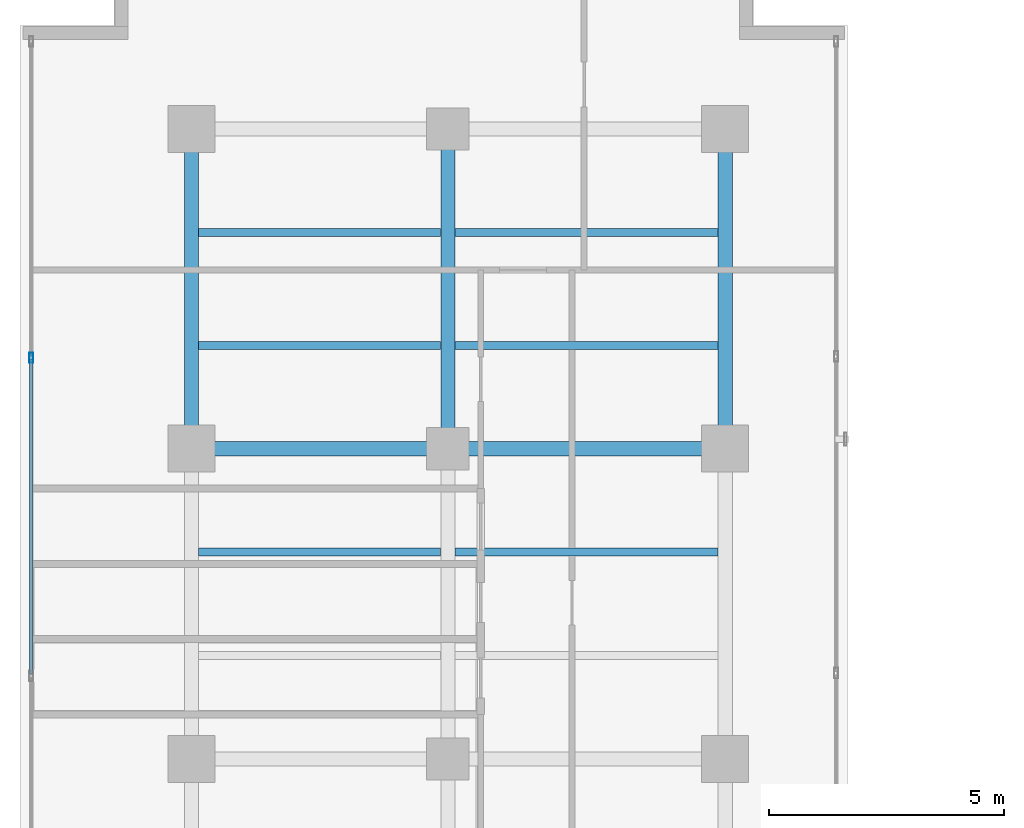
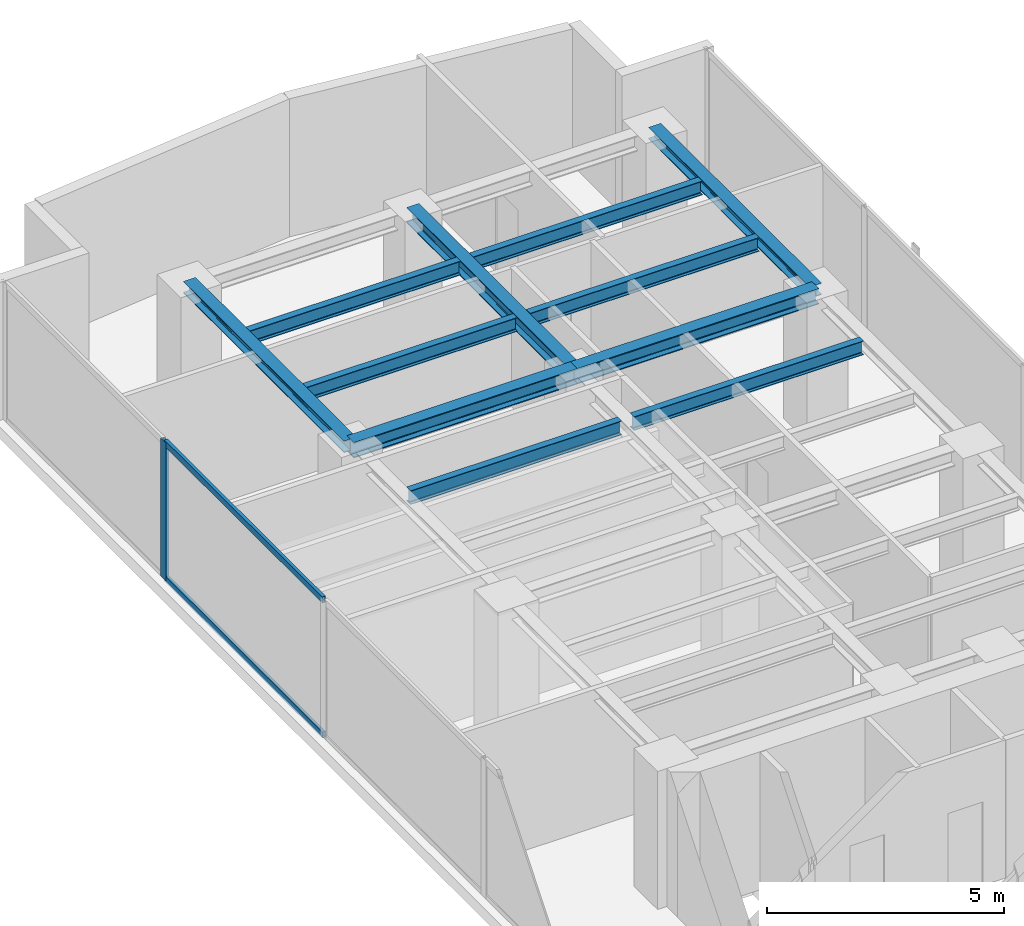
# One storey, part 13 of 25: 11 beams, 3 members, 1 element without a shape of its own.
"""IFC4 building model written with IfcOpenShell, lengths in metres."""

from ifc_helpers import new_model, si_unit, direction, frame, origin, origin_with_axes, origin_2d, place, context, subcontext, project, spatial, hollow_rectangle, i_section, extrude, source, transform, mapped, material, layer, layer_set, material_profile, profile_set, type_object, element, aggregate, save


model = new_model("IFC4")

# Units and contexts
model_context = context("Model", 3, precision=1e-05, world=origin(), true_north=direction((0.0, 1.0)))
body_context = subcontext(model_context, "Body", "Model", "MODEL_VIEW")
ifc_project = project(units=[si_unit("LENGTHUNIT", "METRE"), si_unit("AREAUNIT", "SQUARE_METRE"), si_unit("VOLUMEUNIT", "CUBIC_METRE"), si_unit("PLANEANGLEUNIT", "RADIAN"), si_unit("MASSUNIT", "GRAM", prefix="KILO")], contexts=[model_context])

# Site, building, storey
site_placement = place(None, origin())
site = spatial("IfcSite", under=ifc_project, at=site_placement, CompositionType="ELEMENT")
building_placement = place(site_placement, origin())
building = spatial("IfcBuilding", under=site, at=building_placement, Name="Kolvaren Waterfront Exchange", CompositionType="ELEMENT")
storey_placement = place(building_placement, frame((0.0, 0.0, 223.5)))
storey = spatial("IfcBuildingStorey", under=building, at=storey_placement, Name="L57", CompositionType="ELEMENT", Elevation=223.5)

# Beams
ifc_material_1 = material(Name="Steel S355", Category="steel")
ifc_material_profile_1 = material_profile(ifc_material_1, i_section(OverallWidth=0.300048828125, OverallDepth=0.300048828125, WebThickness=0.010986328125, FlangeThickness=0.01904296875, FilletRadius=0.027099609375, at=origin_2d()), Name="HEB300")
ifc_profile_set_1 = profile_set([ifc_material_profile_1], Name="Steel S355")
beam_type_1 = type_object("IfcBeamType", Name="STR-BM-HEB300", PredefinedType="SPANDREL", material=ifc_profile_set_1)
for number, where, z_axis, x_axis, name in (
    (1, (7.449951171875, 37.800048828125, 3.409912109375), (0.0, 1.0, 0.0), (-1.0, 0.0, 0.0), "L57 north-arm edge beam 3"),
    (2, (18.800048828125, 37.800048828125, 3.409912109375), (0.0, 1.0, 0.0), (-1.0, 0.0, 0.0), "L57 north-arm edge beam 3"),
):
    element("IfcBeam", number, at=place(storey_placement, frame(where, z_axis=z_axis, x_axis=x_axis)), inside=storey, type_object=beam_type_1, Name=name, PredefinedType="SPANDREL", context=body_context, shape_type="SweptSolid", body=[
        extrude(i_section(OverallWidth=0.300048828125, OverallDepth=0.300048828125, WebThickness=0.010986328125, FlangeThickness=0.01904296875, FilletRadius=0.027099609375, at=origin_2d()), origin(), (0.0, 0.0, 1.0), 6.800048828125),
    ])
ifc_material_profile_2 = material_profile(ifc_material_1, i_section(OverallWidth=0.300048828125, OverallDepth=0.39990234375, WebThickness=0.013427734375, FlangeThickness=0.02392578125, FilletRadius=0.027099609375, at=origin_2d()), Name="HEB400")
ifc_profile_set_2 = profile_set([ifc_material_profile_2], Name="Steel S355")
beam_type_2 = type_object("IfcBeamType", Name="STR-BM-HEB400", PredefinedType="BEAM", material=ifc_profile_set_2)
beam_1_placement = place(storey_placement, frame((7.449951171875, 37.800048828125, 3.360107421875), z_axis=(1.0, 0.0, 0.0), x_axis=(0.0, 1.0, 0.0)))
element("IfcBeam", 3, at=beam_1_placement, inside=storey, type_object=beam_type_2, Name="L57 north-arm girder 3A", PredefinedType="BEAM", context=body_context, shape_type="SweptSolid", body=[
    extrude(i_section(OverallWidth=0.300048828125, OverallDepth=0.39990234375, WebThickness=0.013427734375, FlangeThickness=0.02392578125, FilletRadius=0.027099609375, at=origin_2d()), origin(), (0.0, 0.0, 1.0), 5.449951171875),
])
beam_2_placement = place(storey_placement, frame((12.89990234375, 37.800048828125, 3.360107421875), z_axis=(1.0, 0.0, 0.0), x_axis=(0.0, 1.0, 0.0)))
element("IfcBeam", 4, at=beam_2_placement, inside=storey, type_object=beam_type_2, Name="L57 north-arm girder 3B", PredefinedType="BEAM", context=body_context, shape_type="SweptSolid", body=[
    extrude(i_section(OverallWidth=0.300048828125, OverallDepth=0.39990234375, WebThickness=0.013427734375, FlangeThickness=0.02392578125, FilletRadius=0.027099609375, at=origin_2d()), origin(), (0.0, 0.0, 1.0), 5.900146484375),
])
beam_3_placement = place(storey_placement, frame((12.89990234375, 37.800048828125, 3.360107421875), z_axis=(0.0, 1.0, 0.0), x_axis=(-1.0, 0.0, 0.0)))
element("IfcBeam", 5, at=beam_3_placement, inside=storey, type_object=beam_type_2, Name="L57 north-arm edge beam 3", PredefinedType="BEAM", context=body_context, shape_type="SweptSolid", body=[
    extrude(i_section(OverallWidth=0.300048828125, OverallDepth=0.39990234375, WebThickness=0.013427734375, FlangeThickness=0.02392578125, FilletRadius=0.027099609375, at=origin_2d()), origin(), (0.0, 0.0, 1.0), 6.800048828125),
])
ifc_material_profile_3 = material_profile(ifc_material_1, i_section(OverallWidth=0.169921875, OverallDepth=0.360107421875, WebThickness=0.008056640625, FlangeThickness=0.0126953125, FilletRadius=0.01806640625, at=origin_2d()), Name="IPE360")
ifc_profile_set_3 = profile_set([ifc_material_profile_3], Name="Steel S355")
beam_type_3 = type_object("IfcBeamType", Name="STR-BM-IPE360", PredefinedType="JOIST", material=ifc_profile_set_3)
beam_4_placement = place(storey_placement, frame((7.60205078125, 35.60009765625, 3.3798828125), z_axis=(1.0, 0.0, 0.0), x_axis=(0.0, 1.0, 0.0)))
element("IfcBeam", 6, at=beam_4_placement, inside=storey, type_object=beam_type_3, Name="L57 north-arm composite joist 4A", PredefinedType="JOIST", context=body_context, shape_type="SweptSolid", body=[
    extrude(i_section(OverallWidth=0.169921875, OverallDepth=0.360107421875, WebThickness=0.008056640625, FlangeThickness=0.0126953125, FilletRadius=0.01806640625, at=origin_2d()), origin(), (0.0, 0.0, 1.0), 5.14599609375),
])
beam_5_placement = place(storey_placement, frame((13.052001953125, 35.60009765625, 3.3798828125), z_axis=(1.0, 0.0, 0.0), x_axis=(0.0, 1.0, 0.0)))
element("IfcBeam", 7, at=beam_5_placement, inside=storey, type_object=beam_type_3, Name="L57 north-arm composite joist 4B", PredefinedType="JOIST", context=body_context, shape_type="SweptSolid", body=[
    extrude(i_section(OverallWidth=0.169921875, OverallDepth=0.360107421875, WebThickness=0.008056640625, FlangeThickness=0.0126953125, FilletRadius=0.01806640625, at=origin_2d()), origin(), (0.0, 0.0, 1.0), 5.595947265625),
])
beam_6_placement = place(storey_placement, frame((7.60205078125, 40.0, 3.3798828125), z_axis=(1.0, 0.0, 0.0), x_axis=(0.0, 1.0, 0.0)))
element("IfcBeam", 8, at=beam_6_placement, inside=storey, type_object=beam_type_3, Name="L57 north-arm composite joist 5A", PredefinedType="JOIST", context=body_context, shape_type="SweptSolid", body=[
    extrude(i_section(OverallWidth=0.169921875, OverallDepth=0.360107421875, WebThickness=0.008056640625, FlangeThickness=0.0126953125, FilletRadius=0.01806640625, at=origin_2d()), origin(), (0.0, 0.0, 1.0), 5.14599609375),
])
beam_7_placement = place(storey_placement, frame((13.052001953125, 40.0, 3.3798828125), z_axis=(1.0, 0.0, 0.0), x_axis=(0.0, 1.0, 0.0)))
element("IfcBeam", 9, at=beam_7_placement, inside=storey, type_object=beam_type_3, Name="L57 north-arm composite joist 5B", PredefinedType="JOIST", context=body_context, shape_type="SweptSolid", body=[
    extrude(i_section(OverallWidth=0.169921875, OverallDepth=0.360107421875, WebThickness=0.008056640625, FlangeThickness=0.0126953125, FilletRadius=0.01806640625, at=origin_2d()), origin(), (0.0, 0.0, 1.0), 5.595947265625),
])
beam_8_placement = place(storey_placement, frame((7.60205078125, 42.39990234375, 3.3798828125), z_axis=(1.0, 0.0, 0.0), x_axis=(0.0, 1.0, 0.0)))
element("IfcBeam", 10, at=beam_8_placement, inside=storey, type_object=beam_type_3, Name="L57 north-arm composite joist 6A", PredefinedType="JOIST", context=body_context, shape_type="SweptSolid", body=[
    extrude(i_section(OverallWidth=0.169921875, OverallDepth=0.360107421875, WebThickness=0.008056640625, FlangeThickness=0.0126953125, FilletRadius=0.01806640625, at=origin_2d()), origin(), (0.0, 0.0, 1.0), 5.14599609375),
])
beam_9_placement = place(storey_placement, frame((13.052001953125, 42.39990234375, 3.3798828125), z_axis=(1.0, 0.0, 0.0), x_axis=(0.0, 1.0, 0.0)))
element("IfcBeam", 11, at=beam_9_placement, inside=storey, type_object=beam_type_3, Name="L57 north-arm composite joist 6B", PredefinedType="JOIST", context=body_context, shape_type="SweptSolid", body=[
    extrude(i_section(OverallWidth=0.169921875, OverallDepth=0.360107421875, WebThickness=0.008056640625, FlangeThickness=0.0126953125, FilletRadius=0.01806640625, at=origin_2d()), origin(), (0.0, 0.0, 1.0), 5.595947265625),
])

# Curtain wall, members
ifc_material_2 = material(Name="Anodised aluminium 6063-T6", Category="aluminium")
ifc_layer = layer(ifc_material_2, 0.219970703125, Name="Anodised aluminium 6063-T6")
ifc_layer_set = layer_set([ifc_layer], Name="Anodised aluminium 6063-T6")
curtain_wall_type = type_object("IfcCurtainWallType", Name="ARC-CW-SYS2", PredefinedType="USERDEFINED", material=ifc_layer_set)
curtain_wall_placement = place(storey_placement, origin())
curtain_wall = element("IfcCurtainWall", 12, at=curtain_wall_placement, inside=storey, type_object=curtain_wall_type, Name="L57 stick curtain wall CW2 (CW-L57-W)", ObjectType="STICK CURTAIN WALL", PredefinedType="USERDEFINED")
ifc_material_profile_4 = material_profile(ifc_material_2, hollow_rectangle(XDim=0.080078125, YDim=0.219970703125, WallThickness=0.0048828125, at=origin_2d()), Name="ALU-MUL-220x80x5")
ifc_profile_set_4 = profile_set([ifc_material_profile_4], Name="Anodised aluminium 6063-T6")
member_type_1 = type_object("IfcMemberType", Name="ARC-CWM-220", PredefinedType="MULLION", material=ifc_profile_set_4)
shared_shape_1 = source(origin_with_axes(), body_context, "Body", "SweptSolid", [
    extrude(hollow_rectangle(XDim=0.080078125, YDim=0.219970703125, WallThickness=0.0048828125, at=origin_2d()), origin(), (0.0, 0.0, 1.0), 3.56005859375),
])
member_1_placement = place(storey_placement, frame((4.0400390625, 39.7333984375, 0.0), z_axis=(0.0, 0.0, 1.0), x_axis=(-1.0, 0.0, 0.0)))
member_1 = element("IfcMember", 13, at=member_1_placement, type_object=member_type_1, Name="CW2 mullion 6", PredefinedType="MULLION", context=body_context, shape_type="MappedRepresentation", body=[
    mapped(shared_shape_1, transform((0.0, 0.0, 0.0), x_axis=(1.0, 0.0, 0.0), y_axis=(0.0, 1.0, 0.0), z_axis=(0.0, 0.0, 1.0), scale=1.0)),
])
ifc_material_profile_5 = material_profile(ifc_material_2, hollow_rectangle(XDim=0.074951171875, YDim=0.159912109375, WallThickness=0.00439453125, at=origin_2d()), Name="ALU-TRN-160x75x4.5")
ifc_profile_set_5 = profile_set([ifc_material_profile_5], Name="Anodised aluminium 6063-T6")
member_type_2 = type_object("IfcMemberType", Name="ARC-CWT-160", PredefinedType="USERDEFINED", material=ifc_profile_set_5)
shared_shape_2 = source(origin_with_axes(), body_context, "Body", "SweptSolid", [
    extrude(hollow_rectangle(XDim=0.074951171875, YDim=0.159912109375, WallThickness=0.00439453125, at=origin_2d()), origin(), (0.0, 0.0, 1.0), 6.686767578125),
])
member_2_placement = place(storey_placement, frame((4.0400390625, 33.006591796875, 0.03759765625), z_axis=(0.0, 1.0, 0.0), x_axis=(-1.0, 0.0, 0.0)))
member_2 = element("IfcMember", 14, at=member_2_placement, type_object=member_type_2, Name="CW2 transom 5.1", ObjectType="TRANSOM", PredefinedType="USERDEFINED", context=body_context, shape_type="MappedRepresentation", body=[
    mapped(shared_shape_2, transform((0.0, 0.0, 0.0), x_axis=(1.0, 0.0, 0.0), y_axis=(0.0, 1.0, 0.0), z_axis=(0.0, 0.0, 1.0), scale=1.0)),
])
member_3_placement = place(storey_placement, frame((4.0400390625, 33.006591796875, 3.5224609375), z_axis=(0.0, 1.0, 0.0), x_axis=(-1.0, 0.0, 0.0)))
member_3 = element("IfcMember", 15, at=member_3_placement, type_object=member_type_2, Name="CW2 transom 5.2", ObjectType="TRANSOM", PredefinedType="USERDEFINED", context=body_context, shape_type="MappedRepresentation", body=[
    mapped(shared_shape_2, transform((0.0, 0.0, 0.0), x_axis=(1.0, 0.0, 0.0), y_axis=(0.0, 1.0, 0.0), z_axis=(0.0, 0.0, 1.0), scale=1.0)),
])
aggregate(curtain_wall, [member_1, member_2, member_3])

save(model, "model.ifc")
